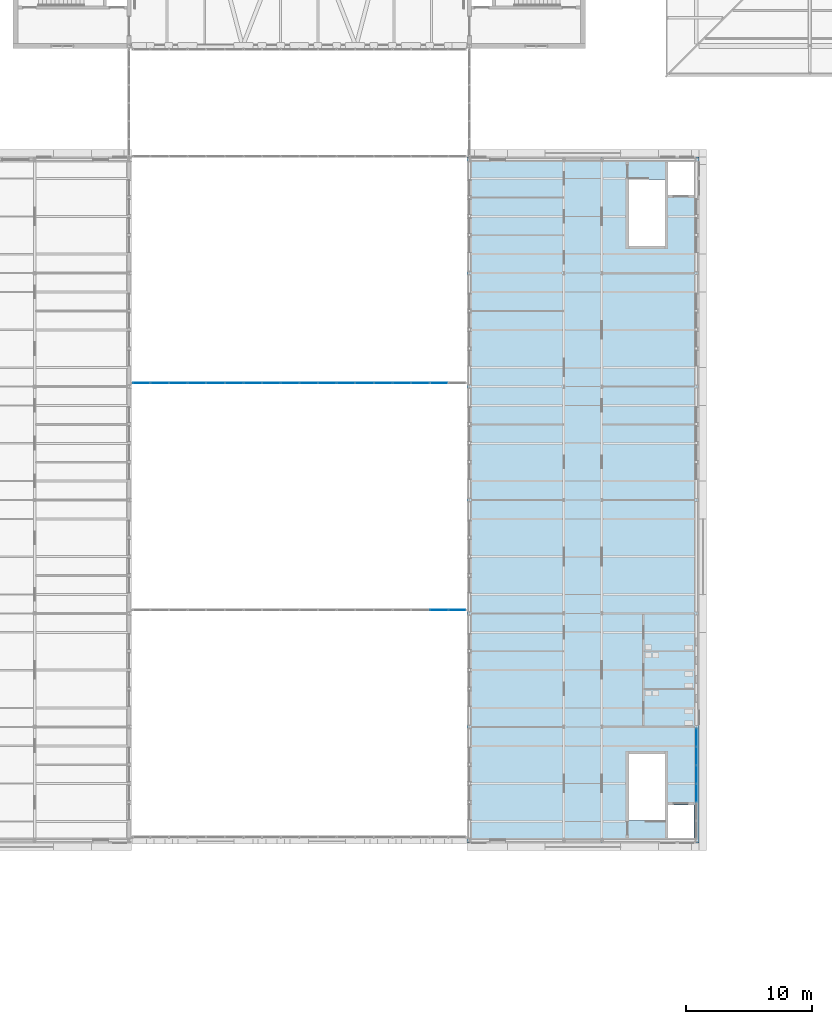
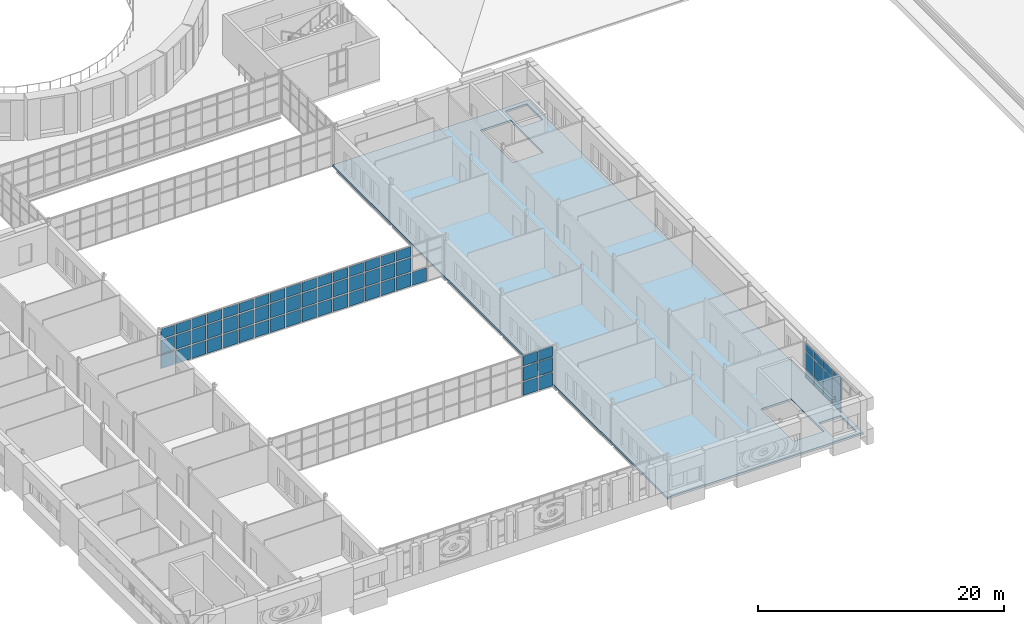
# One storey, part 90 of 154: 67 plates, 1 slab, 3 elements without a shape of their own.
"""IFC4 building model written with IfcOpenShell, lengths in metres."""

import ifcopenshell
import ifcopenshell.guid

model = None  # the IFC model being written
_history = None  # IfcOwnerHistory: only IFC2X3 demands one
_inside = {}  # id of a spatial element -> (the spatial element, [elements in it])
_under = {}  # id of a project, library or spatial element -> (it, [spatial elements below it])
_declared = {}  # id of a project -> (the project, [libraries it declares])
_typed = {}  # id of a type object -> (the type object, [elements of that type])
_made_of = {}  # id of a material, layer set ... -> (it, [elements and type objects made of it])


def new_model(schema):
    """Start an empty IFC model of exactly this schema.

    Asked for "IFC4X3", IfcOpenShell would pick the latest addendum, in which some entities
    have other attributes; the version numbers below select the first issue.
    IFC2X3 requires an IfcOwnerHistory on every rooted entity: one is made here for all.
    """
    global model, _history
    if schema == "IFC4X3":
        model = ifcopenshell.file(schema_version=(4, 3, 0, 0))
    else:
        model = ifcopenshell.file(schema=schema)
    _inside.clear()
    _under.clear()
    _declared.clear()
    _typed.clear()
    _made_of.clear()
    _history = None
    if model.schema == "IFC2X3":
        org = make("IfcOrganization", Name="unknown")
        user = make(
            "IfcPersonAndOrganization",
            ThePerson=make("IfcPerson", FamilyName="unknown"),
            TheOrganization=org,
        )
        app = make(
            "IfcApplication",
            ApplicationDeveloper=org,
            Version="unknown",
            ApplicationFullName="unknown",
            ApplicationIdentifier="unknown",
        )
        _history = make(
            "IfcOwnerHistory",
            OwningUser=user,
            OwningApplication=app,
            ChangeAction="ADDED",
            CreationDate=0,
        )
    return model


def make(cls, **values):
    """One entity of the class cls with the attributes given. An attribute that is None is left unset."""
    return model.create_entity(
        cls, **{name: value for name, value in values.items() if value is not None}
    )


def rooted(cls, **values):
    """An entity with a GlobalId (a new one), such as an element, a storey or a relation."""
    return make(cls, GlobalId=ifcopenshell.guid.new(), OwnerHistory=_history, **values)


def si_unit(unit_type, name, prefix=None):
    """IfcSIUnit, for example si_unit("LENGTHUNIT", "METRE", prefix="MILLI")."""
    return make("IfcSIUnit", UnitType=unit_type, Prefix=prefix, Name=name)


def assignment(units):
    """IfcUnitAssignment: the units of a project."""
    return None if units is None else make("IfcUnitAssignment", Units=units)


def point(xyz):
    """IfcCartesianPoint."""
    return None if xyz is None else make("IfcCartesianPoint", Coordinates=xyz)


def direction(xyz):
    """IfcDirection."""
    return None if xyz is None else make("IfcDirection", DirectionRatios=xyz)


def frame(location, z_axis=None, x_axis=None):
    """IfcAxis2Placement3D, a coordinate frame: its origin and axes. An axis left out is left unset."""
    return make(
        "IfcAxis2Placement3D",
        Location=point(location),
        Axis=direction(z_axis),
        RefDirection=direction(x_axis),
    )


def frame_2d(location, x_axis=None):
    """IfcAxis2Placement2D, a coordinate frame in the plane: its origin and x axis."""
    return make(
        "IfcAxis2Placement2D", Location=point(location), RefDirection=direction(x_axis)
    )


def origin():
    """The frame at (0, 0, 0) with its axes left unset."""
    return frame((0.0, 0.0, 0.0))


def origin_2d():
    """The frame at (0, 0) in the plane with its x axis left unset."""
    return frame_2d((0.0, 0.0))


def place(relative_to, where):
    """IfcLocalPlacement: puts the frame where relative to a parent placement (None: the world)."""
    return make(
        "IfcLocalPlacement", PlacementRelTo=relative_to, RelativePlacement=where
    )


def context(
    kind, dimensions, precision=None, world=None, true_north=None, identifier=None
):
    """IfcGeometricRepresentationContext, for example the 3D "Model" context."""
    return make(
        "IfcGeometricRepresentationContext",
        ContextIdentifier=identifier,
        ContextType=kind,
        CoordinateSpaceDimension=dimensions,
        Precision=precision,
        WorldCoordinateSystem=world,
        TrueNorth=true_north,
    )


def subcontext(parent, identifier, kind, view, scale=None):
    """IfcGeometricRepresentationSubContext, for example "Body" below "Model"."""
    return make(
        "IfcGeometricRepresentationSubContext",
        ContextIdentifier=identifier,
        ContextType=kind,
        ParentContext=parent,
        TargetScale=scale,
        TargetView=view,
    )


def project(units=None, contexts=None):
    """IfcProject with its units and contexts."""
    return rooted(
        "IfcProject",
        Name="project",
        RepresentationContexts=contexts,
        UnitsInContext=assignment(units),
    )


def spatial(cls, under=None, at=None, **own):
    """A site, building, storey or space (cls), placed at a placement, below another one or the project."""
    s = rooted(cls, ObjectPlacement=at, **own)
    if under is not None:
        _under.setdefault(under.id(), (under, []))[1].append(s)
    return s


def polyline(points):
    """IfcPolyline through the points."""
    return make("IfcPolyline", Points=[point(p) for p in points])


def profile(cls, at=None, kind="AREA", **sizes):
    """A parametric profile (cls). Its sizes go by their IFC names, for example OverallWidth=200.0."""
    return make(cls, ProfileType=kind, Position=at, **sizes)


def rectangle(**sizes):
    """IfcRectangleProfileDef."""
    return profile("IfcRectangleProfileDef", **sizes)


def outline(outer, holes=None, kind="AREA"):
    """IfcArbitraryClosedProfileDef: a profile drawn as a closed curve; with holes, ...WithVoids."""
    if holes is None:
        return make("IfcArbitraryClosedProfileDef", ProfileType=kind, OuterCurve=outer)
    return make(
        "IfcArbitraryProfileDefWithVoids",
        ProfileType=kind,
        OuterCurve=outer,
        InnerCurves=holes,
    )


def extrude(swept, where, along, depth):
    """IfcExtrudedAreaSolid: the profile swept, set in the frame where, extruded along a direction by depth."""
    return make(
        "IfcExtrudedAreaSolid",
        SweptArea=swept,
        Position=where,
        ExtrudedDirection=direction(along),
        Depth=depth,
    )


def shape(context_of_items, identifier, shape_type, items):
    """IfcShapeRepresentation: the items that make up one representation, for example the "Body"."""
    return make(
        "IfcShapeRepresentation",
        ContextOfItems=context_of_items,
        RepresentationIdentifier=identifier,
        RepresentationType=shape_type,
        Items=items,
    )


def material(Name=None, Category=None):
    """IfcMaterial."""
    return make("IfcMaterial", Name=Name, Category=Category)


def layer(
    of_material, thickness, ventilated=None, Name=None, Category=None, Priority=None
):
    """IfcMaterialLayer: one layer of a wall or slab, of a material (None: an air gap)."""
    return make(
        "IfcMaterialLayer",
        Material=of_material,
        LayerThickness=thickness,
        IsVentilated=ventilated,
        Name=Name,
        Category=Category,
        Priority=Priority,
    )


def layer_set(layers, Name=None):
    """IfcMaterialLayerSet."""
    return make("IfcMaterialLayerSet", MaterialLayers=layers, LayerSetName=Name)


def made_of(thing, what):
    """Note that an element or type object is made of a material, layer set ...; save() writes the relation."""
    if what is not None:
        _made_of.setdefault(what.id(), (what, []))[1].append(thing)
    return thing


def type_object(cls, material=None, **own):
    """A type object (cls), such as IfcWallType, which elements share."""
    return made_of(rooted(cls, **own), material)


def element(
    cls,
    number,
    at=None,
    inside=None,
    cuts=None,
    type_object=None,
    material=None,
    context=None,
    identifier="Body",
    shape_type=None,
    held_by="IfcProductDefinitionShape",
    body=None,
    shapes=None,
    **own,
):
    """One element of the class cls, such as IfcWall. Its Tag is "e" and its number.

    at: its placement. inside: the storey or other place that contains it. cuts: it is an
    opening in that element (IfcRelVoidsElement). A single representation is given by context,
    identifier, shape_type and body (its items); several are given by shapes. held_by: the class
    of the entity that holds the representations. save() writes the other relations.
    """
    e = rooted(cls, Tag="e%d" % number, ObjectPlacement=at, **own)
    if body is not None:
        shapes = [shape(context, identifier, shape_type, body)]
    if shapes is not None:
        e.Representation = make(held_by, Representations=shapes)
    if inside is not None:
        _inside.setdefault(inside.id(), (inside, []))[1].append(e)
    if cuts is not None:
        rooted(
            "IfcRelVoidsElement", RelatingBuildingElement=cuts, RelatedOpeningElement=e
        )
    if type_object is not None:
        _typed.setdefault(type_object.id(), (type_object, []))[1].append(e)
    return made_of(e, material)


def aggregate(whole, parts):
    """IfcRelAggregates: a whole, such as a stair, and the parts it consists of."""
    return rooted("IfcRelAggregates", RelatingObject=whole, RelatedObjects=parts)


def save(model, path):
    """Write the relations noted so far, then the file.

    IfcRelAggregates (storeys below a building ...), IfcRelContainedInSpatialStructure (elements
    in a storey), IfcRelDefinesByType, IfcRelAssociatesMaterial and IfcRelDeclares: one each for
    every whole, place, type object, material and project.
    """
    for whole, parts in _under.values():
        aggregate(whole, parts)
    for where, things in _inside.values():
        rooted(
            "IfcRelContainedInSpatialStructure",
            RelatedElements=things,
            RelatingStructure=where,
        )
    for kind, things in _typed.values():
        rooted("IfcRelDefinesByType", RelatedObjects=things, RelatingType=kind)
    for what, things in _made_of.values():
        rooted("IfcRelAssociatesMaterial", RelatedObjects=things, RelatingMaterial=what)
    for by, libraries in _declared.values():
        rooted("IfcRelDeclares", RelatingContext=by, RelatedDefinitions=libraries)
    model.write(path)


model = new_model("IFC4")

# Units and contexts
model_context = context("Model", 3, precision=1e-05, world=origin(), true_north=direction((0.0, 1.0)))
body_context = subcontext(model_context, "Body", "Model", "MODEL_VIEW")
ifc_project = project(units=[si_unit("LENGTHUNIT", "METRE"), si_unit("AREAUNIT", "SQUARE_METRE"), si_unit("VOLUMEUNIT", "CUBIC_METRE"), si_unit("PLANEANGLEUNIT", "RADIAN"), si_unit("MASSUNIT", "GRAM", prefix="KILO")], contexts=[model_context])

# Site, building, storey
site_placement = place(None, origin())
site = spatial("IfcSite", under=ifc_project, at=site_placement, CompositionType="ELEMENT")
building_placement = place(site_placement, origin())
building = spatial("IfcBuilding", under=site, at=building_placement, Name="Golden Quay Civic Hall", CompositionType="ELEMENT")
storey_placement = place(building_placement, frame((0.0, 0.0, 14.39990234375)))
storey = spatial("IfcBuildingStorey", under=building, at=storey_placement, Name="L03", CompositionType="ELEMENT", Elevation=14.39990234375)

# Slab
ifc_material_1 = material(Name="Concrete C35/45", Category="concrete")
ifc_layer_1 = layer(ifc_material_1, 0.199951171875)
ifc_layer_set_1 = layer_set([ifc_layer_1], Name="Composite floor 200")
slab_type = type_object("IfcSlabType", Name="Composite floor 200", PredefinedType="FLOOR", material=ifc_layer_set_1)
slab_placement = place(storey_placement, frame((0.0, 0.0, -0.199951171875)))
element("IfcSlab", 1, at=slab_placement, inside=storey, type_object=slab_type, Name="EM floor L03", PredefinedType="FLOOR", context=body_context, shape_type="SweptSolid", body=[
    extrude(outline(polyline([(117.199951171875, -0.199951171875), (98.800048828125, -0.199951171875), (98.800048828125, 54.199951171875), (117.199951171875, 54.199951171875), (117.199951171875, -0.199951171875)]), holes=[polyline([(114.5, 1.554931640625), (114.5, 6.85009765625), (111.64990234375, 6.85009765625), (111.64990234375, 1.554931640625), (114.5, 1.554931640625)]), polyline([(114.75, 0.199951171875), (116.800048828125, 0.199951171875), (116.800048828125, 2.800048828125), (114.75, 2.800048828125), (114.75, 0.199951171875)]), polyline([(111.64990234375, 52.445068359375), (111.64990234375, 47.14990234375), (114.5, 47.14990234375), (114.5, 52.445068359375), (111.64990234375, 52.445068359375)]), polyline([(116.800048828125, 53.800048828125), (114.75, 53.800048828125), (114.75, 51.199951171875), (116.800048828125, 51.199951171875), (116.800048828125, 53.800048828125)])]), origin(), (0.0, 0.0, 1.0), 0.199951171875),
])

# Curtain wall, plates
ifc_material_2 = material(Name="Glass, laminated double glazed", Category="glass")
ifc_layer_2 = layer(ifc_material_2, 0.199951171875)
ifc_layer_set_2 = layer_set([ifc_layer_2], Name="Glazed core strip curtain wall")
curtain_wall_type_1 = type_object("IfcCurtainWallType", Name="Glazed core strip curtain wall", PredefinedType="NOTDEFINED", material=ifc_layer_set_2)
curtain_wall_1_placement = place(storey_placement, origin())
curtain_wall_1 = element("IfcCurtainWall", 2, at=curtain_wall_1_placement, inside=storey, type_object=curtain_wall_type_1, Name="Glazed core strip curtain wall L03 4", PredefinedType="NOTDEFINED")
ifc_material_3 = material(Name="Glass, laminated double glazed", Category="glass")
ifc_layer_3 = layer(ifc_material_3, 0.028076171875)
ifc_layer_set_3 = layer_set([ifc_layer_3], Name="Double glazed curtain wall panel 28")
plate_type_1 = type_object("IfcPlateType", Name="Double glazed curtain wall panel 28", PredefinedType="CURTAIN_PANEL", material=ifc_layer_set_3)
plate_1_placement = place(storey_placement, frame((117.0, 8.15576171875, 0.06005859375), z_axis=(0.0, 0.0, 1.0), x_axis=(0.0, -1.0, 0.0)))
plate_1 = element("IfcPlate", 3, at=plate_1_placement, type_object=plate_type_1, Name="CW2 panel 1.1", PredefinedType="CURTAIN_PANEL", context=body_context, shape_type="SweptSolid", body=[
    extrude(rectangle(XDim=1.37841796875, YDim=0.028076171875, at=origin_2d()), origin(), (0.0, 0.0, 1.0), 0.81005859375),
])
plate_2_placement = place(storey_placement, frame((117.0, 8.15576171875, 0.93017578125), z_axis=(0.0, 0.0, 1.0), x_axis=(0.0, -1.0, 0.0)))
plate_2 = element("IfcPlate", 4, at=plate_2_placement, type_object=plate_type_1, Name="CW2 panel 1.2", PredefinedType="CURTAIN_PANEL", context=body_context, shape_type="SweptSolid", body=[
    extrude(rectangle(XDim=1.37841796875, YDim=0.028076171875, at=origin_2d()), origin(), (0.0, 0.0, 1.0), 1.739990234375),
])
plate_3_placement = place(storey_placement, frame((117.0, 8.15576171875, 2.72998046875), z_axis=(0.0, 0.0, 1.0), x_axis=(0.0, -1.0, 0.0)))
plate_3 = element("IfcPlate", 5, at=plate_3_placement, type_object=plate_type_1, Name="CW2 panel 1.3", PredefinedType="CURTAIN_PANEL", context=body_context, shape_type="SweptSolid", body=[
    extrude(rectangle(XDim=1.37841796875, YDim=0.028076171875, at=origin_2d()), origin(), (0.0, 0.0, 1.0), 0.760009765625),
])
plate_4_placement = place(storey_placement, frame((117.0, 6.702392578125, 0.06005859375), z_axis=(0.0, 0.0, 1.0), x_axis=(0.0, -1.0, 0.0)))
plate_4 = element("IfcPlate", 6, at=plate_4_placement, type_object=plate_type_1, Name="CW2 panel 2.1", PredefinedType="CURTAIN_PANEL", context=body_context, shape_type="SweptSolid", body=[
    extrude(rectangle(XDim=1.408447265625, YDim=0.028076171875, at=origin_2d()), origin(), (0.0, 0.0, 1.0), 0.81005859375),
])
plate_5_placement = place(storey_placement, frame((117.0, 6.702392578125, 0.93017578125), z_axis=(0.0, 0.0, 1.0), x_axis=(0.0, -1.0, 0.0)))
plate_5 = element("IfcPlate", 7, at=plate_5_placement, type_object=plate_type_1, Name="CW2 panel 2.2", PredefinedType="CURTAIN_PANEL", context=body_context, shape_type="SweptSolid", body=[
    extrude(rectangle(XDim=1.408447265625, YDim=0.028076171875, at=origin_2d()), origin(), (0.0, 0.0, 1.0), 1.739990234375),
])
plate_6_placement = place(storey_placement, frame((117.0, 6.702392578125, 2.72998046875), z_axis=(0.0, 0.0, 1.0), x_axis=(0.0, -1.0, 0.0)))
plate_6 = element("IfcPlate", 8, at=plate_6_placement, type_object=plate_type_1, Name="CW2 panel 2.3", PredefinedType="CURTAIN_PANEL", context=body_context, shape_type="SweptSolid", body=[
    extrude(rectangle(XDim=1.408447265625, YDim=0.028076171875, at=origin_2d()), origin(), (0.0, 0.0, 1.0), 0.760009765625),
])
plate_7_placement = place(storey_placement, frame((117.0, 5.234130859375, 0.06005859375), z_axis=(0.0, 0.0, 1.0), x_axis=(0.0, -1.0, 0.0)))
plate_7 = element("IfcPlate", 9, at=plate_7_placement, type_object=plate_type_1, Name="CW2 panel 3.1", PredefinedType="CURTAIN_PANEL", context=body_context, shape_type="SweptSolid", body=[
    extrude(rectangle(XDim=1.408447265625, YDim=0.028076171875, at=origin_2d()), origin(), (0.0, 0.0, 1.0), 0.81005859375),
])
plate_8_placement = place(storey_placement, frame((117.0, 5.234130859375, 0.93017578125), z_axis=(0.0, 0.0, 1.0), x_axis=(0.0, -1.0, 0.0)))
plate_8 = element("IfcPlate", 10, at=plate_8_placement, type_object=plate_type_1, Name="CW2 panel 3.2", PredefinedType="CURTAIN_PANEL", context=body_context, shape_type="SweptSolid", body=[
    extrude(rectangle(XDim=1.408447265625, YDim=0.028076171875, at=origin_2d()), origin(), (0.0, 0.0, 1.0), 1.739990234375),
])
plate_9_placement = place(storey_placement, frame((117.0, 5.234130859375, 2.72998046875), z_axis=(0.0, 0.0, 1.0), x_axis=(0.0, -1.0, 0.0)))
plate_9 = element("IfcPlate", 11, at=plate_9_placement, type_object=plate_type_1, Name="CW2 panel 3.3", PredefinedType="CURTAIN_PANEL", context=body_context, shape_type="SweptSolid", body=[
    extrude(rectangle(XDim=1.408447265625, YDim=0.028076171875, at=origin_2d()), origin(), (0.0, 0.0, 1.0), 0.760009765625),
])
plate_10_placement = place(storey_placement, frame((117.0, 3.765869140625, 0.06005859375), z_axis=(0.0, 0.0, 1.0), x_axis=(0.0, -1.0, 0.0)))
plate_10 = element("IfcPlate", 12, at=plate_10_placement, type_object=plate_type_1, Name="CW2 panel 4.1", PredefinedType="CURTAIN_PANEL", context=body_context, shape_type="SweptSolid", body=[
    extrude(rectangle(XDim=1.408447265625, YDim=0.028076171875, at=origin_2d()), origin(), (0.0, 0.0, 1.0), 0.81005859375),
])
plate_11_placement = place(storey_placement, frame((117.0, 3.765869140625, 0.93017578125), z_axis=(0.0, 0.0, 1.0), x_axis=(0.0, -1.0, 0.0)))
plate_11 = element("IfcPlate", 13, at=plate_11_placement, type_object=plate_type_1, Name="CW2 panel 4.2", PredefinedType="CURTAIN_PANEL", context=body_context, shape_type="SweptSolid", body=[
    extrude(rectangle(XDim=1.408447265625, YDim=0.028076171875, at=origin_2d()), origin(), (0.0, 0.0, 1.0), 1.739990234375),
])
plate_12_placement = place(storey_placement, frame((117.0, 3.765869140625, 2.72998046875), z_axis=(0.0, 0.0, 1.0), x_axis=(0.0, -1.0, 0.0)))
plate_12 = element("IfcPlate", 14, at=plate_12_placement, type_object=plate_type_1, Name="CW2 panel 4.3", PredefinedType="CURTAIN_PANEL", context=body_context, shape_type="SweptSolid", body=[
    extrude(rectangle(XDim=1.408447265625, YDim=0.028076171875, at=origin_2d()), origin(), (0.0, 0.0, 1.0), 0.760009765625),
])
aggregate(curtain_wall_1, [plate_1, plate_2, plate_3, plate_4, plate_5, plate_6, plate_7, plate_8, plate_9, plate_10, plate_11, plate_12])

ifc_material_4 = material(Name="Fire-resisting glass and steel", Category="steel")
curtain_wall_type_2 = type_object("IfcCurtainWallType", Name="Fire-resisting glazed curtain wall EI 120", PredefinedType="NOTDEFINED", material=ifc_material_4)
curtain_wall_2_placement = place(storey_placement, origin())
curtain_wall_2 = element("IfcCurtainWall", 15, at=curtain_wall_2_placement, inside=storey, type_object=curtain_wall_type_2, Name="CW3 curtain wall", PredefinedType="NOTDEFINED")
ifc_material_5 = material(Name="Fire-resisting laminated glass", Category="glass")
ifc_layer_4 = layer(ifc_material_5, 0.0400390625)
ifc_layer_set_4 = layer_set([ifc_layer_4], Name="Fire-resisting glazed panel 40")
plate_type_2 = type_object("IfcPlateType", Name="Fire-resisting glazed panel 40", PredefinedType="CURTAIN_PANEL", material=ifc_layer_set_4)
plate_13_placement = place(storey_placement, frame((96.583251953125, 18.27001953125, -0.080078125), z_axis=(0.0, 0.0, 1.0), x_axis=(1.0, 0.0, 0.0)))
plate_13 = element("IfcPlate", 16, at=plate_13_placement, type_object=plate_type_2, Name="CW3 panel 17.1", PredefinedType="CURTAIN_PANEL", context=body_context, shape_type="SweptSolid", body=[
    extrude(rectangle(XDim=1.357666015625, YDim=0.0400390625, at=origin_2d()), origin(), (0.0, 0.0, 1.0), 1.320068359375),
])
plate_14_placement = place(storey_placement, frame((96.583251953125, 18.27001953125, 1.360107421875), z_axis=(0.0, 0.0, 1.0), x_axis=(1.0, 0.0, 0.0)))
plate_14 = element("IfcPlate", 17, at=plate_14_placement, type_object=plate_type_2, Name="CW3 panel 17.2", PredefinedType="CURTAIN_PANEL", context=body_context, shape_type="SweptSolid", body=[
    extrude(rectangle(XDim=1.357666015625, YDim=0.0400390625, at=origin_2d()), origin(), (0.0, 0.0, 1.0), 1.3798828125),
])
plate_15_placement = place(storey_placement, frame((96.583251953125, 18.27001953125, 2.8603515625), z_axis=(0.0, 0.0, 1.0), x_axis=(1.0, 0.0, 0.0)))
plate_15 = element("IfcPlate", 18, at=plate_15_placement, type_object=plate_type_2, Name="CW3 panel 17.3", PredefinedType="CURTAIN_PANEL", context=body_context, shape_type="SweptSolid", body=[
    extrude(rectangle(XDim=1.357666015625, YDim=0.0400390625, at=origin_2d()), origin(), (0.0, 0.0, 1.0), 0.969970703125),
])
plate_16_placement = place(storey_placement, frame((98.031005859375, 18.27001953125, -0.080078125), z_axis=(0.0, 0.0, 1.0), x_axis=(1.0, 0.0, 0.0)))
plate_16 = element("IfcPlate", 19, at=plate_16_placement, type_object=plate_type_2, Name="CW3 panel 18.1", PredefinedType="CURTAIN_PANEL", context=body_context, shape_type="SweptSolid", body=[
    extrude(rectangle(XDim=1.2978515625, YDim=0.0400390625, at=origin_2d()), origin(), (0.0, 0.0, 1.0), 1.320068359375),
])
plate_17_placement = place(storey_placement, frame((98.031005859375, 18.27001953125, 1.360107421875), z_axis=(0.0, 0.0, 1.0), x_axis=(1.0, 0.0, 0.0)))
plate_17 = element("IfcPlate", 20, at=plate_17_placement, type_object=plate_type_2, Name="CW3 panel 18.2", PredefinedType="CURTAIN_PANEL", context=body_context, shape_type="SweptSolid", body=[
    extrude(rectangle(XDim=1.2978515625, YDim=0.0400390625, at=origin_2d()), origin(), (0.0, 0.0, 1.0), 1.3798828125),
])
plate_18_placement = place(storey_placement, frame((98.031005859375, 18.27001953125, 2.8603515625), z_axis=(0.0, 0.0, 1.0), x_axis=(1.0, 0.0, 0.0)))
plate_18 = element("IfcPlate", 21, at=plate_18_placement, type_object=plate_type_2, Name="CW3 panel 18.3", PredefinedType="CURTAIN_PANEL", context=body_context, shape_type="SweptSolid", body=[
    extrude(rectangle(XDim=1.2978515625, YDim=0.0400390625, at=origin_2d()), origin(), (0.0, 0.0, 1.0), 0.969970703125),
])
aggregate(curtain_wall_2, [plate_13, plate_14, plate_15, plate_16, plate_17, plate_18])

curtain_wall_3_placement = place(storey_placement, origin())
curtain_wall_3 = element("IfcCurtainWall", 22, at=curtain_wall_3_placement, inside=storey, type_object=curtain_wall_type_2, Name="CW3 curtain wall", PredefinedType="NOTDEFINED")
plate_19_placement = place(storey_placement, frame((72.968994140625, 36.27001953125, -0.080078125), z_axis=(0.0, 0.0, 1.0), x_axis=(1.0, 0.0, 0.0)))
plate_19 = element("IfcPlate", 23, at=plate_19_placement, type_object=plate_type_2, Name="CW3 panel 1.1", PredefinedType="CURTAIN_PANEL", context=body_context, shape_type="SweptSolid", body=[
    extrude(rectangle(XDim=1.2978515625, YDim=0.0400390625, at=origin_2d()), origin(), (0.0, 0.0, 1.0), 1.320068359375),
])
plate_20_placement = place(storey_placement, frame((72.968994140625, 36.27001953125, 1.360107421875), z_axis=(0.0, 0.0, 1.0), x_axis=(1.0, 0.0, 0.0)))
plate_20 = element("IfcPlate", 24, at=plate_20_placement, type_object=plate_type_2, Name="CW3 panel 1.2", PredefinedType="CURTAIN_PANEL", context=body_context, shape_type="SweptSolid", body=[
    extrude(rectangle(XDim=1.2978515625, YDim=0.0400390625, at=origin_2d()), origin(), (0.0, 0.0, 1.0), 1.3798828125),
])
plate_21_placement = place(storey_placement, frame((72.968994140625, 36.27001953125, 2.8603515625), z_axis=(0.0, 0.0, 1.0), x_axis=(1.0, 0.0, 0.0)))
plate_21 = element("IfcPlate", 25, at=plate_21_placement, type_object=plate_type_2, Name="CW3 panel 1.3", PredefinedType="CURTAIN_PANEL", context=body_context, shape_type="SweptSolid", body=[
    extrude(rectangle(XDim=1.2978515625, YDim=0.0400390625, at=origin_2d()), origin(), (0.0, 0.0, 1.0), 0.969970703125),
])
plate_22_placement = place(storey_placement, frame((74.416748046875, 36.27001953125, -0.080078125), z_axis=(0.0, 0.0, 1.0), x_axis=(1.0, 0.0, 0.0)))
plate_22 = element("IfcPlate", 26, at=plate_22_placement, type_object=plate_type_2, Name="CW3 panel 2.1", PredefinedType="CURTAIN_PANEL", context=body_context, shape_type="SweptSolid", body=[
    extrude(rectangle(XDim=1.357666015625, YDim=0.0400390625, at=origin_2d()), origin(), (0.0, 0.0, 1.0), 1.320068359375),
])
plate_23_placement = place(storey_placement, frame((74.416748046875, 36.27001953125, 1.360107421875), z_axis=(0.0, 0.0, 1.0), x_axis=(1.0, 0.0, 0.0)))
plate_23 = element("IfcPlate", 27, at=plate_23_placement, type_object=plate_type_2, Name="CW3 panel 2.2", PredefinedType="CURTAIN_PANEL", context=body_context, shape_type="SweptSolid", body=[
    extrude(rectangle(XDim=1.357666015625, YDim=0.0400390625, at=origin_2d()), origin(), (0.0, 0.0, 1.0), 1.3798828125),
])
plate_24_placement = place(storey_placement, frame((74.416748046875, 36.27001953125, 2.8603515625), z_axis=(0.0, 0.0, 1.0), x_axis=(1.0, 0.0, 0.0)))
plate_24 = element("IfcPlate", 28, at=plate_24_placement, type_object=plate_type_2, Name="CW3 panel 2.3", PredefinedType="CURTAIN_PANEL", context=body_context, shape_type="SweptSolid", body=[
    extrude(rectangle(XDim=1.357666015625, YDim=0.0400390625, at=origin_2d()), origin(), (0.0, 0.0, 1.0), 0.969970703125),
])
plate_25_placement = place(storey_placement, frame((75.89453125, 36.27001953125, -0.080078125), z_axis=(0.0, 0.0, 1.0), x_axis=(1.0, 0.0, 0.0)))
plate_25 = element("IfcPlate", 29, at=plate_25_placement, type_object=plate_type_2, Name="CW3 panel 3.1", PredefinedType="CURTAIN_PANEL", context=body_context, shape_type="SweptSolid", body=[
    extrude(rectangle(XDim=1.357666015625, YDim=0.0400390625, at=origin_2d()), origin(), (0.0, 0.0, 1.0), 1.320068359375),
])
plate_26_placement = place(storey_placement, frame((75.89453125, 36.27001953125, 1.360107421875), z_axis=(0.0, 0.0, 1.0), x_axis=(1.0, 0.0, 0.0)))
plate_26 = element("IfcPlate", 30, at=plate_26_placement, type_object=plate_type_2, Name="CW3 panel 3.2", PredefinedType="CURTAIN_PANEL", context=body_context, shape_type="SweptSolid", body=[
    extrude(rectangle(XDim=1.357666015625, YDim=0.0400390625, at=origin_2d()), origin(), (0.0, 0.0, 1.0), 1.3798828125),
])
plate_27_placement = place(storey_placement, frame((75.89453125, 36.27001953125, 2.8603515625), z_axis=(0.0, 0.0, 1.0), x_axis=(1.0, 0.0, 0.0)))
plate_27 = element("IfcPlate", 31, at=plate_27_placement, type_object=plate_type_2, Name="CW3 panel 3.3", PredefinedType="CURTAIN_PANEL", context=body_context, shape_type="SweptSolid", body=[
    extrude(rectangle(XDim=1.357666015625, YDim=0.0400390625, at=origin_2d()), origin(), (0.0, 0.0, 1.0), 0.969970703125),
])
plate_28_placement = place(storey_placement, frame((77.372314453125, 36.27001953125, -0.080078125), z_axis=(0.0, 0.0, 1.0), x_axis=(1.0, 0.0, 0.0)))
plate_28 = element("IfcPlate", 32, at=plate_28_placement, type_object=plate_type_2, Name="CW3 panel 4.1", PredefinedType="CURTAIN_PANEL", context=body_context, shape_type="SweptSolid", body=[
    extrude(rectangle(XDim=1.357666015625, YDim=0.0400390625, at=origin_2d()), origin(), (0.0, 0.0, 1.0), 1.320068359375),
])
plate_29_placement = place(storey_placement, frame((77.372314453125, 36.27001953125, 1.360107421875), z_axis=(0.0, 0.0, 1.0), x_axis=(1.0, 0.0, 0.0)))
plate_29 = element("IfcPlate", 33, at=plate_29_placement, type_object=plate_type_2, Name="CW3 panel 4.2", PredefinedType="CURTAIN_PANEL", context=body_context, shape_type="SweptSolid", body=[
    extrude(rectangle(XDim=1.357666015625, YDim=0.0400390625, at=origin_2d()), origin(), (0.0, 0.0, 1.0), 1.3798828125),
])
plate_30_placement = place(storey_placement, frame((77.372314453125, 36.27001953125, 2.8603515625), z_axis=(0.0, 0.0, 1.0), x_axis=(1.0, 0.0, 0.0)))
plate_30 = element("IfcPlate", 34, at=plate_30_placement, type_object=plate_type_2, Name="CW3 panel 4.3", PredefinedType="CURTAIN_PANEL", context=body_context, shape_type="SweptSolid", body=[
    extrude(rectangle(XDim=1.357666015625, YDim=0.0400390625, at=origin_2d()), origin(), (0.0, 0.0, 1.0), 0.969970703125),
])
plate_31_placement = place(storey_placement, frame((78.85009765625, 36.27001953125, -0.080078125), z_axis=(0.0, 0.0, 1.0), x_axis=(1.0, 0.0, 0.0)))
plate_31 = element("IfcPlate", 35, at=plate_31_placement, type_object=plate_type_2, Name="CW3 panel 5.1", PredefinedType="CURTAIN_PANEL", context=body_context, shape_type="SweptSolid", body=[
    extrude(rectangle(XDim=1.357666015625, YDim=0.0400390625, at=origin_2d()), origin(), (0.0, 0.0, 1.0), 1.320068359375),
])
plate_32_placement = place(storey_placement, frame((78.85009765625, 36.27001953125, 1.360107421875), z_axis=(0.0, 0.0, 1.0), x_axis=(1.0, 0.0, 0.0)))
plate_32 = element("IfcPlate", 36, at=plate_32_placement, type_object=plate_type_2, Name="CW3 panel 5.2", PredefinedType="CURTAIN_PANEL", context=body_context, shape_type="SweptSolid", body=[
    extrude(rectangle(XDim=1.357666015625, YDim=0.0400390625, at=origin_2d()), origin(), (0.0, 0.0, 1.0), 1.3798828125),
])
plate_33_placement = place(storey_placement, frame((78.85009765625, 36.27001953125, 2.8603515625), z_axis=(0.0, 0.0, 1.0), x_axis=(1.0, 0.0, 0.0)))
plate_33 = element("IfcPlate", 37, at=plate_33_placement, type_object=plate_type_2, Name="CW3 panel 5.3", PredefinedType="CURTAIN_PANEL", context=body_context, shape_type="SweptSolid", body=[
    extrude(rectangle(XDim=1.357666015625, YDim=0.0400390625, at=origin_2d()), origin(), (0.0, 0.0, 1.0), 0.969970703125),
])
plate_34_placement = place(storey_placement, frame((80.327880859375, 36.27001953125, -0.080078125), z_axis=(0.0, 0.0, 1.0), x_axis=(1.0, 0.0, 0.0)))
plate_34 = element("IfcPlate", 38, at=plate_34_placement, type_object=plate_type_2, Name="CW3 panel 6.1", PredefinedType="CURTAIN_PANEL", context=body_context, shape_type="SweptSolid", body=[
    extrude(rectangle(XDim=1.357666015625, YDim=0.0400390625, at=origin_2d()), origin(), (0.0, 0.0, 1.0), 1.320068359375),
])
plate_35_placement = place(storey_placement, frame((80.327880859375, 36.27001953125, 1.360107421875), z_axis=(0.0, 0.0, 1.0), x_axis=(1.0, 0.0, 0.0)))
plate_35 = element("IfcPlate", 39, at=plate_35_placement, type_object=plate_type_2, Name="CW3 panel 6.2", PredefinedType="CURTAIN_PANEL", context=body_context, shape_type="SweptSolid", body=[
    extrude(rectangle(XDim=1.357666015625, YDim=0.0400390625, at=origin_2d()), origin(), (0.0, 0.0, 1.0), 1.3798828125),
])
plate_36_placement = place(storey_placement, frame((80.327880859375, 36.27001953125, 2.8603515625), z_axis=(0.0, 0.0, 1.0), x_axis=(1.0, 0.0, 0.0)))
plate_36 = element("IfcPlate", 40, at=plate_36_placement, type_object=plate_type_2, Name="CW3 panel 6.3", PredefinedType="CURTAIN_PANEL", context=body_context, shape_type="SweptSolid", body=[
    extrude(rectangle(XDim=1.357666015625, YDim=0.0400390625, at=origin_2d()), origin(), (0.0, 0.0, 1.0), 0.969970703125),
])
plate_37_placement = place(storey_placement, frame((81.8056640625, 36.27001953125, -0.080078125), z_axis=(0.0, 0.0, 1.0), x_axis=(1.0, 0.0, 0.0)))
plate_37 = element("IfcPlate", 41, at=plate_37_placement, type_object=plate_type_2, Name="CW3 panel 7.1", PredefinedType="CURTAIN_PANEL", context=body_context, shape_type="SweptSolid", body=[
    extrude(rectangle(XDim=1.357666015625, YDim=0.0400390625, at=origin_2d()), origin(), (0.0, 0.0, 1.0), 1.320068359375),
])
plate_38_placement = place(storey_placement, frame((81.8056640625, 36.27001953125, 1.360107421875), z_axis=(0.0, 0.0, 1.0), x_axis=(1.0, 0.0, 0.0)))
plate_38 = element("IfcPlate", 42, at=plate_38_placement, type_object=plate_type_2, Name="CW3 panel 7.2", PredefinedType="CURTAIN_PANEL", context=body_context, shape_type="SweptSolid", body=[
    extrude(rectangle(XDim=1.357666015625, YDim=0.0400390625, at=origin_2d()), origin(), (0.0, 0.0, 1.0), 1.3798828125),
])
plate_39_placement = place(storey_placement, frame((81.8056640625, 36.27001953125, 2.8603515625), z_axis=(0.0, 0.0, 1.0), x_axis=(1.0, 0.0, 0.0)))
plate_39 = element("IfcPlate", 43, at=plate_39_placement, type_object=plate_type_2, Name="CW3 panel 7.3", PredefinedType="CURTAIN_PANEL", context=body_context, shape_type="SweptSolid", body=[
    extrude(rectangle(XDim=1.357666015625, YDim=0.0400390625, at=origin_2d()), origin(), (0.0, 0.0, 1.0), 0.969970703125),
])
plate_40_placement = place(storey_placement, frame((83.283447265625, 36.27001953125, -0.080078125), z_axis=(0.0, 0.0, 1.0), x_axis=(1.0, 0.0, 0.0)))
plate_40 = element("IfcPlate", 44, at=plate_40_placement, type_object=plate_type_2, Name="CW3 panel 8.1", PredefinedType="CURTAIN_PANEL", context=body_context, shape_type="SweptSolid", body=[
    extrude(rectangle(XDim=1.357666015625, YDim=0.0400390625, at=origin_2d()), origin(), (0.0, 0.0, 1.0), 1.320068359375),
])
plate_41_placement = place(storey_placement, frame((83.283447265625, 36.27001953125, 1.360107421875), z_axis=(0.0, 0.0, 1.0), x_axis=(1.0, 0.0, 0.0)))
plate_41 = element("IfcPlate", 45, at=plate_41_placement, type_object=plate_type_2, Name="CW3 panel 8.2", PredefinedType="CURTAIN_PANEL", context=body_context, shape_type="SweptSolid", body=[
    extrude(rectangle(XDim=1.357666015625, YDim=0.0400390625, at=origin_2d()), origin(), (0.0, 0.0, 1.0), 1.3798828125),
])
plate_42_placement = place(storey_placement, frame((83.283447265625, 36.27001953125, 2.8603515625), z_axis=(0.0, 0.0, 1.0), x_axis=(1.0, 0.0, 0.0)))
plate_42 = element("IfcPlate", 46, at=plate_42_placement, type_object=plate_type_2, Name="CW3 panel 8.3", PredefinedType="CURTAIN_PANEL", context=body_context, shape_type="SweptSolid", body=[
    extrude(rectangle(XDim=1.357666015625, YDim=0.0400390625, at=origin_2d()), origin(), (0.0, 0.0, 1.0), 0.969970703125),
])
plate_43_placement = place(storey_placement, frame((84.76123046875, 36.27001953125, -0.080078125), z_axis=(0.0, 0.0, 1.0), x_axis=(1.0, 0.0, 0.0)))
plate_43 = element("IfcPlate", 47, at=plate_43_placement, type_object=plate_type_2, Name="CW3 panel 9.1", PredefinedType="CURTAIN_PANEL", context=body_context, shape_type="SweptSolid", body=[
    extrude(rectangle(XDim=1.357666015625, YDim=0.0400390625, at=origin_2d()), origin(), (0.0, 0.0, 1.0), 1.320068359375),
])
plate_44_placement = place(storey_placement, frame((84.76123046875, 36.27001953125, 1.360107421875), z_axis=(0.0, 0.0, 1.0), x_axis=(1.0, 0.0, 0.0)))
plate_44 = element("IfcPlate", 48, at=plate_44_placement, type_object=plate_type_2, Name="CW3 panel 9.2", PredefinedType="CURTAIN_PANEL", context=body_context, shape_type="SweptSolid", body=[
    extrude(rectangle(XDim=1.357666015625, YDim=0.0400390625, at=origin_2d()), origin(), (0.0, 0.0, 1.0), 1.3798828125),
])
plate_45_placement = place(storey_placement, frame((84.76123046875, 36.27001953125, 2.8603515625), z_axis=(0.0, 0.0, 1.0), x_axis=(1.0, 0.0, 0.0)))
plate_45 = element("IfcPlate", 49, at=plate_45_placement, type_object=plate_type_2, Name="CW3 panel 9.3", PredefinedType="CURTAIN_PANEL", context=body_context, shape_type="SweptSolid", body=[
    extrude(rectangle(XDim=1.357666015625, YDim=0.0400390625, at=origin_2d()), origin(), (0.0, 0.0, 1.0), 0.969970703125),
])
plate_46_placement = place(storey_placement, frame((86.23876953125, 36.27001953125, -0.080078125), z_axis=(0.0, 0.0, 1.0), x_axis=(1.0, 0.0, 0.0)))
plate_46 = element("IfcPlate", 50, at=plate_46_placement, type_object=plate_type_2, Name="CW3 panel 10.1", PredefinedType="CURTAIN_PANEL", context=body_context, shape_type="SweptSolid", body=[
    extrude(rectangle(XDim=1.357666015625, YDim=0.0400390625, at=origin_2d()), origin(), (0.0, 0.0, 1.0), 1.320068359375),
])
plate_47_placement = place(storey_placement, frame((86.23876953125, 36.27001953125, 1.360107421875), z_axis=(0.0, 0.0, 1.0), x_axis=(1.0, 0.0, 0.0)))
plate_47 = element("IfcPlate", 51, at=plate_47_placement, type_object=plate_type_2, Name="CW3 panel 10.2", PredefinedType="CURTAIN_PANEL", context=body_context, shape_type="SweptSolid", body=[
    extrude(rectangle(XDim=1.357666015625, YDim=0.0400390625, at=origin_2d()), origin(), (0.0, 0.0, 1.0), 1.3798828125),
])
plate_48_placement = place(storey_placement, frame((86.23876953125, 36.27001953125, 2.8603515625), z_axis=(0.0, 0.0, 1.0), x_axis=(1.0, 0.0, 0.0)))
plate_48 = element("IfcPlate", 52, at=plate_48_placement, type_object=plate_type_2, Name="CW3 panel 10.3", PredefinedType="CURTAIN_PANEL", context=body_context, shape_type="SweptSolid", body=[
    extrude(rectangle(XDim=1.357666015625, YDim=0.0400390625, at=origin_2d()), origin(), (0.0, 0.0, 1.0), 0.969970703125),
])
plate_49_placement = place(storey_placement, frame((87.716552734375, 36.27001953125, -0.080078125), z_axis=(0.0, 0.0, 1.0), x_axis=(1.0, 0.0, 0.0)))
plate_49 = element("IfcPlate", 53, at=plate_49_placement, type_object=plate_type_2, Name="CW3 panel 11.1", PredefinedType="CURTAIN_PANEL", context=body_context, shape_type="SweptSolid", body=[
    extrude(rectangle(XDim=1.357666015625, YDim=0.0400390625, at=origin_2d()), origin(), (0.0, 0.0, 1.0), 1.320068359375),
])
plate_50_placement = place(storey_placement, frame((87.716552734375, 36.27001953125, 1.360107421875), z_axis=(0.0, 0.0, 1.0), x_axis=(1.0, 0.0, 0.0)))
plate_50 = element("IfcPlate", 54, at=plate_50_placement, type_object=plate_type_2, Name="CW3 panel 11.2", PredefinedType="CURTAIN_PANEL", context=body_context, shape_type="SweptSolid", body=[
    extrude(rectangle(XDim=1.357666015625, YDim=0.0400390625, at=origin_2d()), origin(), (0.0, 0.0, 1.0), 1.3798828125),
])
plate_51_placement = place(storey_placement, frame((87.716552734375, 36.27001953125, 2.8603515625), z_axis=(0.0, 0.0, 1.0), x_axis=(1.0, 0.0, 0.0)))
plate_51 = element("IfcPlate", 55, at=plate_51_placement, type_object=plate_type_2, Name="CW3 panel 11.3", PredefinedType="CURTAIN_PANEL", context=body_context, shape_type="SweptSolid", body=[
    extrude(rectangle(XDim=1.357666015625, YDim=0.0400390625, at=origin_2d()), origin(), (0.0, 0.0, 1.0), 0.969970703125),
])
plate_52_placement = place(storey_placement, frame((89.1943359375, 36.27001953125, -0.080078125), z_axis=(0.0, 0.0, 1.0), x_axis=(1.0, 0.0, 0.0)))
plate_52 = element("IfcPlate", 56, at=plate_52_placement, type_object=plate_type_2, Name="CW3 panel 12.1", PredefinedType="CURTAIN_PANEL", context=body_context, shape_type="SweptSolid", body=[
    extrude(rectangle(XDim=1.357666015625, YDim=0.0400390625, at=origin_2d()), origin(), (0.0, 0.0, 1.0), 1.320068359375),
])
plate_53_placement = place(storey_placement, frame((89.1943359375, 36.27001953125, 1.360107421875), z_axis=(0.0, 0.0, 1.0), x_axis=(1.0, 0.0, 0.0)))
plate_53 = element("IfcPlate", 57, at=plate_53_placement, type_object=plate_type_2, Name="CW3 panel 12.2", PredefinedType="CURTAIN_PANEL", context=body_context, shape_type="SweptSolid", body=[
    extrude(rectangle(XDim=1.357666015625, YDim=0.0400390625, at=origin_2d()), origin(), (0.0, 0.0, 1.0), 1.3798828125),
])
plate_54_placement = place(storey_placement, frame((89.1943359375, 36.27001953125, 2.8603515625), z_axis=(0.0, 0.0, 1.0), x_axis=(1.0, 0.0, 0.0)))
plate_54 = element("IfcPlate", 58, at=plate_54_placement, type_object=plate_type_2, Name="CW3 panel 12.3", PredefinedType="CURTAIN_PANEL", context=body_context, shape_type="SweptSolid", body=[
    extrude(rectangle(XDim=1.357666015625, YDim=0.0400390625, at=origin_2d()), origin(), (0.0, 0.0, 1.0), 0.969970703125),
])
plate_55_placement = place(storey_placement, frame((90.672119140625, 36.27001953125, -0.080078125), z_axis=(0.0, 0.0, 1.0), x_axis=(1.0, 0.0, 0.0)))
plate_55 = element("IfcPlate", 59, at=plate_55_placement, type_object=plate_type_2, Name="CW3 panel 13.1", PredefinedType="CURTAIN_PANEL", context=body_context, shape_type="SweptSolid", body=[
    extrude(rectangle(XDim=1.357666015625, YDim=0.0400390625, at=origin_2d()), origin(), (0.0, 0.0, 1.0), 1.320068359375),
])
plate_56_placement = place(storey_placement, frame((90.672119140625, 36.27001953125, 1.360107421875), z_axis=(0.0, 0.0, 1.0), x_axis=(1.0, 0.0, 0.0)))
plate_56 = element("IfcPlate", 60, at=plate_56_placement, type_object=plate_type_2, Name="CW3 panel 13.2", PredefinedType="CURTAIN_PANEL", context=body_context, shape_type="SweptSolid", body=[
    extrude(rectangle(XDim=1.357666015625, YDim=0.0400390625, at=origin_2d()), origin(), (0.0, 0.0, 1.0), 1.3798828125),
])
plate_57_placement = place(storey_placement, frame((90.672119140625, 36.27001953125, 2.8603515625), z_axis=(0.0, 0.0, 1.0), x_axis=(1.0, 0.0, 0.0)))
plate_57 = element("IfcPlate", 61, at=plate_57_placement, type_object=plate_type_2, Name="CW3 panel 13.3", PredefinedType="CURTAIN_PANEL", context=body_context, shape_type="SweptSolid", body=[
    extrude(rectangle(XDim=1.357666015625, YDim=0.0400390625, at=origin_2d()), origin(), (0.0, 0.0, 1.0), 0.969970703125),
])
plate_58_placement = place(storey_placement, frame((92.14990234375, 36.27001953125, -0.080078125), z_axis=(0.0, 0.0, 1.0), x_axis=(1.0, 0.0, 0.0)))
plate_58 = element("IfcPlate", 62, at=plate_58_placement, type_object=plate_type_2, Name="CW3 panel 14.1", PredefinedType="CURTAIN_PANEL", context=body_context, shape_type="SweptSolid", body=[
    extrude(rectangle(XDim=1.357666015625, YDim=0.0400390625, at=origin_2d()), origin(), (0.0, 0.0, 1.0), 1.320068359375),
])
plate_59_placement = place(storey_placement, frame((92.14990234375, 36.27001953125, 1.360107421875), z_axis=(0.0, 0.0, 1.0), x_axis=(1.0, 0.0, 0.0)))
plate_59 = element("IfcPlate", 63, at=plate_59_placement, type_object=plate_type_2, Name="CW3 panel 14.2", PredefinedType="CURTAIN_PANEL", context=body_context, shape_type="SweptSolid", body=[
    extrude(rectangle(XDim=1.357666015625, YDim=0.0400390625, at=origin_2d()), origin(), (0.0, 0.0, 1.0), 1.3798828125),
])
plate_60_placement = place(storey_placement, frame((92.14990234375, 36.27001953125, 2.8603515625), z_axis=(0.0, 0.0, 1.0), x_axis=(1.0, 0.0, 0.0)))
plate_60 = element("IfcPlate", 64, at=plate_60_placement, type_object=plate_type_2, Name="CW3 panel 14.3", PredefinedType="CURTAIN_PANEL", context=body_context, shape_type="SweptSolid", body=[
    extrude(rectangle(XDim=1.357666015625, YDim=0.0400390625, at=origin_2d()), origin(), (0.0, 0.0, 1.0), 0.969970703125),
])
plate_61_placement = place(storey_placement, frame((93.627685546875, 36.27001953125, -0.080078125), z_axis=(0.0, 0.0, 1.0), x_axis=(1.0, 0.0, 0.0)))
plate_61 = element("IfcPlate", 65, at=plate_61_placement, type_object=plate_type_2, Name="CW3 panel 15.1", PredefinedType="CURTAIN_PANEL", context=body_context, shape_type="SweptSolid", body=[
    extrude(rectangle(XDim=1.357666015625, YDim=0.0400390625, at=origin_2d()), origin(), (0.0, 0.0, 1.0), 1.320068359375),
])
plate_62_placement = place(storey_placement, frame((93.627685546875, 36.27001953125, 1.360107421875), z_axis=(0.0, 0.0, 1.0), x_axis=(1.0, 0.0, 0.0)))
plate_62 = element("IfcPlate", 66, at=plate_62_placement, type_object=plate_type_2, Name="CW3 panel 15.2", PredefinedType="CURTAIN_PANEL", context=body_context, shape_type="SweptSolid", body=[
    extrude(rectangle(XDim=1.357666015625, YDim=0.0400390625, at=origin_2d()), origin(), (0.0, 0.0, 1.0), 1.3798828125),
])
plate_63_placement = place(storey_placement, frame((93.627685546875, 36.27001953125, 2.8603515625), z_axis=(0.0, 0.0, 1.0), x_axis=(1.0, 0.0, 0.0)))
plate_63 = element("IfcPlate", 67, at=plate_63_placement, type_object=plate_type_2, Name="CW3 panel 15.3", PredefinedType="CURTAIN_PANEL", context=body_context, shape_type="SweptSolid", body=[
    extrude(rectangle(XDim=1.357666015625, YDim=0.0400390625, at=origin_2d()), origin(), (0.0, 0.0, 1.0), 0.969970703125),
])
plate_64_placement = place(storey_placement, frame((95.10546875, 36.27001953125, -0.080078125), z_axis=(0.0, 0.0, 1.0), x_axis=(1.0, 0.0, 0.0)))
plate_64 = element("IfcPlate", 68, at=plate_64_placement, type_object=plate_type_2, Name="CW3 panel 16.1", PredefinedType="CURTAIN_PANEL", context=body_context, shape_type="SweptSolid", body=[
    extrude(rectangle(XDim=1.357666015625, YDim=0.0400390625, at=origin_2d()), origin(), (0.0, 0.0, 1.0), 1.320068359375),
])
plate_65_placement = place(storey_placement, frame((95.10546875, 36.27001953125, 1.360107421875), z_axis=(0.0, 0.0, 1.0), x_axis=(1.0, 0.0, 0.0)))
plate_65 = element("IfcPlate", 69, at=plate_65_placement, type_object=plate_type_2, Name="CW3 panel 16.2", PredefinedType="CURTAIN_PANEL", context=body_context, shape_type="SweptSolid", body=[
    extrude(rectangle(XDim=1.357666015625, YDim=0.0400390625, at=origin_2d()), origin(), (0.0, 0.0, 1.0), 1.3798828125),
])
plate_66_placement = place(storey_placement, frame((95.10546875, 36.27001953125, 2.8603515625), z_axis=(0.0, 0.0, 1.0), x_axis=(1.0, 0.0, 0.0)))
plate_66 = element("IfcPlate", 70, at=plate_66_placement, type_object=plate_type_2, Name="CW3 panel 16.3", PredefinedType="CURTAIN_PANEL", context=body_context, shape_type="SweptSolid", body=[
    extrude(rectangle(XDim=1.357666015625, YDim=0.0400390625, at=origin_2d()), origin(), (0.0, 0.0, 1.0), 0.969970703125),
])
plate_67_placement = place(storey_placement, frame((96.583251953125, 36.27001953125, -0.080078125), z_axis=(0.0, 0.0, 1.0), x_axis=(1.0, 0.0, 0.0)))
plate_67 = element("IfcPlate", 71, at=plate_67_placement, type_object=plate_type_2, Name="CW3 panel 17.1", PredefinedType="CURTAIN_PANEL", context=body_context, shape_type="SweptSolid", body=[
    extrude(rectangle(XDim=1.357666015625, YDim=0.0400390625, at=origin_2d()), origin(), (0.0, 0.0, 1.0), 1.320068359375),
])
aggregate(curtain_wall_3, [plate_19, plate_20, plate_21, plate_22, plate_23, plate_24, plate_25, plate_26, plate_27, plate_28, plate_29, plate_30, plate_31, plate_32, plate_33, plate_34, plate_35, plate_36, plate_37, plate_38, plate_39, plate_40, plate_41, plate_42, plate_43, plate_44, plate_45, plate_46, plate_47, plate_48, plate_49, plate_50, plate_51, plate_52, plate_53, plate_54, plate_55, plate_56, plate_57, plate_58, plate_59, plate_60, plate_61, plate_62, plate_63, plate_64, plate_65, plate_66, plate_67])

save(model, "model.ifc")
